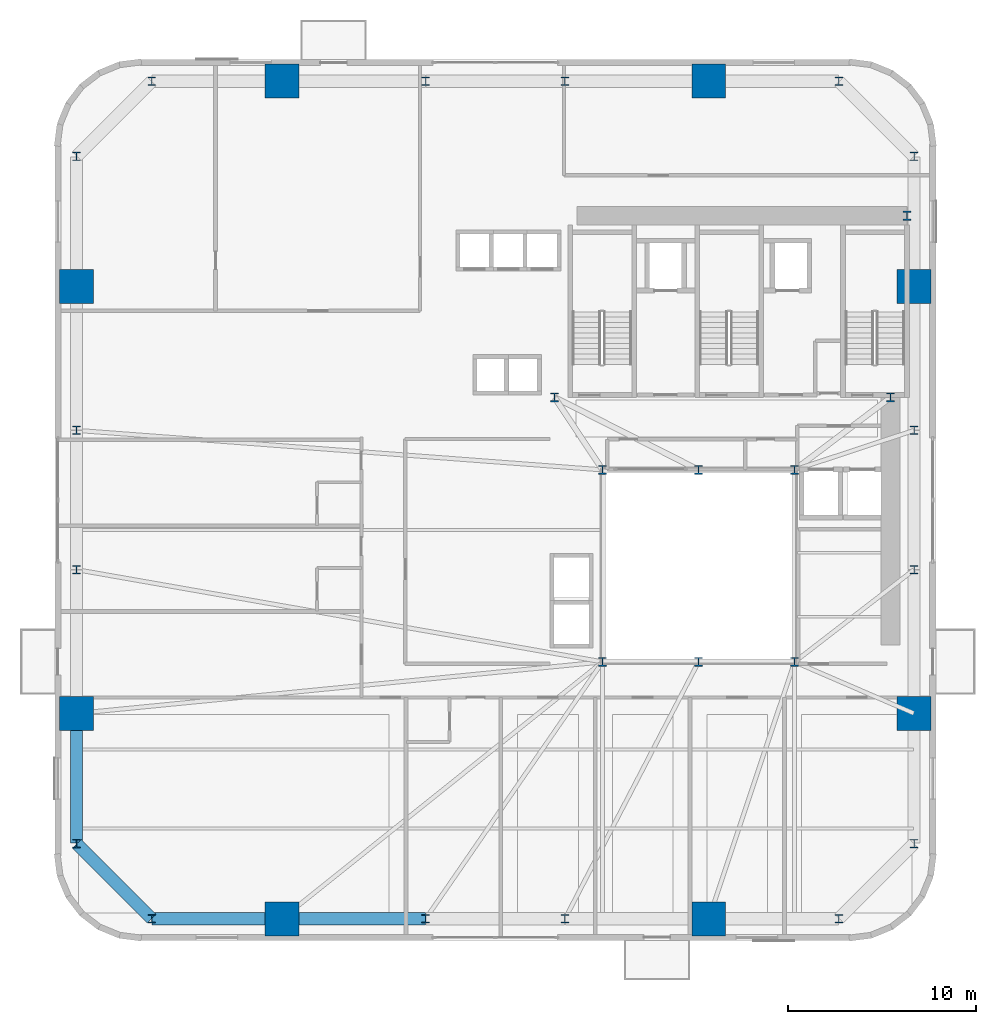
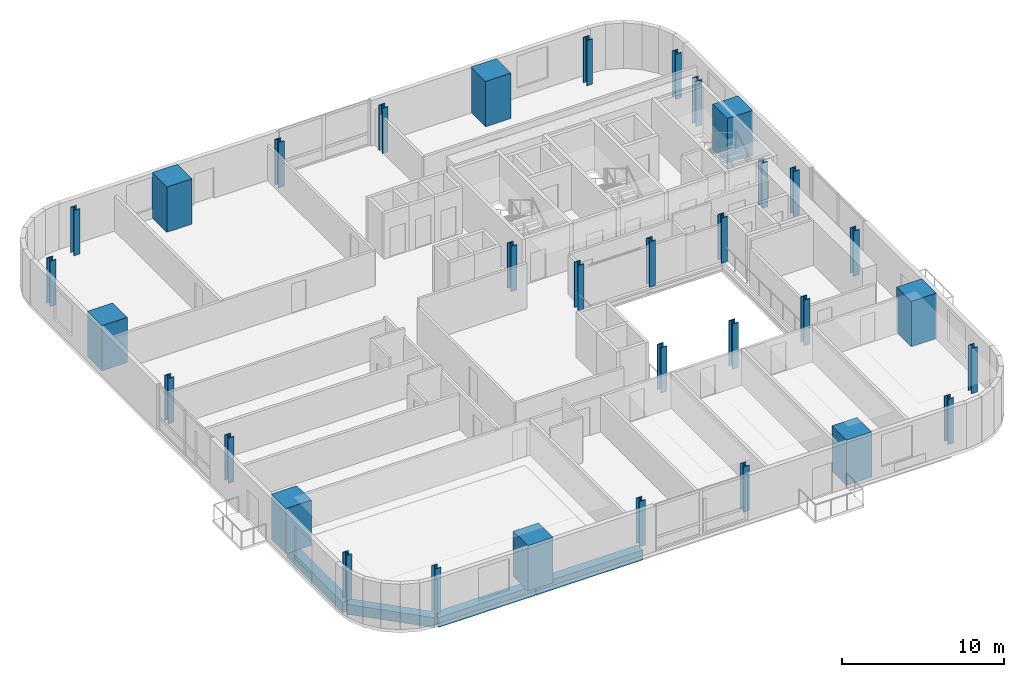
# One storey, part 1 of 13: 33 columns, 4 beams.
"""IFC4 building model written with IfcOpenShell, lengths in metres."""

from ifc_helpers import new_model, si_unit, direction, frame, origin, origin_2d, place, context, subcontext, project, spatial, rectangle, i_section, extrude, source, transform, mapped, material, material_profile, profile_set, type_object, element, save


model = new_model("IFC4")

# Units and contexts
model_context = context("Model", 3, precision=1e-05, world=origin(), true_north=direction((0.0, 1.0)))
body_context = subcontext(model_context, "Body", "Model", "MODEL_VIEW")
ifc_project = project(units=[si_unit("LENGTHUNIT", "METRE"), si_unit("AREAUNIT", "SQUARE_METRE"), si_unit("VOLUMEUNIT", "CUBIC_METRE"), si_unit("PLANEANGLEUNIT", "RADIAN"), si_unit("MASSUNIT", "GRAM", prefix="KILO")], contexts=[model_context])

# Site, building, storey
site_placement = place(None, origin())
site = spatial("IfcSite", under=ifc_project, at=site_placement, CompositionType="ELEMENT")
building_placement = place(site_placement, origin())
building = spatial("IfcBuilding", under=site, at=building_placement, Name="Vardaveli Station Tower", CompositionType="ELEMENT")
storey_placement = place(building_placement, frame((0.0, 0.0, 38.550048828125)))
storey = spatial("IfcBuildingStorey", under=building, at=storey_placement, Name="L09", CompositionType="ELEMENT", Elevation=38.550048828125)

# Columns
ifc_material_1 = material(Name="Structural steel S460M", Category="steel")
ifc_material_profile_1 = material_profile(ifc_material_1, i_section(OverallWidth=0.427978515625, OverallDepth=0.48095703125, WebThickness=0.03955078125, FlangeThickness=0.0634765625, FilletRadius=0.014892578125, at=origin_2d()), Name="HD 400x677")
ifc_profile_set_1 = profile_set([ifc_material_profile_1], Name="Structural steel S460M")
column_type_1 = type_object("IfcColumnType", Name="COL-HD677", PredefinedType="COLUMN", material=ifc_profile_set_1)
shared_shape_1 = source(origin(), body_context, "Body", "SweptSolid", [
    extrude(i_section(OverallWidth=0.427978515625, OverallDepth=0.48095703125, WebThickness=0.03955078125, FlangeThickness=0.0634765625, FilletRadius=0.014892578125, at=origin_2d()), origin(), (0.0, 0.0, 1.0), 3.409912109375),
])
for number, where, z_axis, x_axis, name in (
    (1, (31.199951171875, 16.60009765625, 0.0), (0.0, 0.0, 1.0), (1.0, 0.0, 0.0), "COL-L09-AC1"),
    (2, (36.300048828125, 16.60009765625, 0.0), (0.0, 0.0, 1.0), (1.0, 0.0, 0.0), "COL-L09-AC2"),
    (3, (41.39990234375, 16.60009765625, 0.0), (0.0, 0.0, 1.0), (1.0, 0.0, 0.0), "COL-L09-AC3"),
    (4, (41.39990234375, 26.800048828125, 0.0), (0.0, 0.0, 1.0), (1.0, 0.0, 0.0), "COL-L09-AC4"),
    (5, (36.300048828125, 26.800048828125, 0.0), (0.0, 0.0, 1.0), (1.0, 0.0, 0.0), "COL-L09-AC5"),
    (6, (31.199951171875, 26.800048828125, 0.0), (0.0, 0.0, 1.0), (1.0, 0.0, 0.0), "COL-L09-AC6"),
    (7, (28.64990234375, 30.64990234375, 0.0), (0.0, 0.0, 1.0), (1.0, 0.0, 0.0), "COL-L09-CC1"),
    (8, (46.5, 30.64990234375, 0.0), (0.0, 0.0, 1.0), (1.0, 0.0, 0.0), "COL-L09-CC2"),
    (9, (47.3701171875, 40.300048828125, 0.0), (0.0, 0.0, 1.0), (1.0, 0.0, 0.0), "COL-L09-CC3"),
):
    element("IfcColumn", number, at=place(storey_placement, frame(where, z_axis=z_axis, x_axis=x_axis)), inside=storey, type_object=column_type_1, Name=name, PredefinedType="COLUMN", context=body_context, shape_type="MappedRepresentation", body=[
        mapped(shared_shape_1, transform((0.0, 0.0, 0.0), scale=1.0)),
    ])
ifc_material_2 = material(Name="Concrete C70/85", Category="concrete")
ifc_material_profile_2 = material_profile(ifc_material_2, rectangle(XDim=1.800048828125, YDim=1.800048828125, at=origin_2d()), Name="MC 1800x1800")
ifc_profile_set_2 = profile_set([ifc_material_profile_2], Name="Concrete C70/85")
column_type_2 = type_object("IfcColumnType", Name="COL-MC-1800", PredefinedType="COLUMN", material=ifc_profile_set_2)
shared_shape_2 = source(origin(), body_context, "Body", "SweptSolid", [
    extrude(rectangle(XDim=1.800048828125, YDim=1.800048828125, at=origin_2d()), origin(), (0.0, 0.0, 1.0), 3.409912109375),
])
for number, where, z_axis, x_axis, name in (
    (10, (14.159912109375, 2.949951171875, 0.0), (0.0, 0.0, 1.0), (1.0, 0.0, 0.0), "COL-L09-MC1"),
    (11, (36.840087890625, 2.949951171875, 0.0), (0.0, 0.0, 1.0), (1.0, 0.0, 0.0), "COL-L09-MC2"),
    (12, (47.75, 13.860107421875, 0.0), (0.0, 0.0, 1.0), (1.0, 0.0, 0.0), "COL-L09-MC3"),
    (13, (47.75, 36.5400390625, 0.0), (0.0, 0.0, 1.0), (1.0, 0.0, 0.0), "COL-L09-MC4"),
    (14, (36.840087890625, 47.449951171875, 0.0), (0.0, 0.0, 1.0), (1.0, 0.0, 0.0), "COL-L09-MC5"),
    (15, (14.159912109375, 47.449951171875, 0.0), (0.0, 0.0, 1.0), (1.0, 0.0, 0.0), "COL-L09-MC6"),
    (16, (3.25, 36.5400390625, 0.0), (0.0, 0.0, 1.0), (1.0, 0.0, 0.0), "COL-L09-MC7"),
    (17, (3.25, 13.860107421875, 0.0), (0.0, 0.0, 1.0), (1.0, 0.0, 0.0), "COL-L09-MC8"),
):
    element("IfcColumn", number, at=place(storey_placement, frame(where, z_axis=z_axis, x_axis=x_axis)), inside=storey, type_object=column_type_2, Name=name, PredefinedType="COLUMN", context=body_context, shape_type="MappedRepresentation", body=[
        mapped(shared_shape_2, transform((0.0, 0.0, 0.0), scale=1.0)),
    ])
ifc_material_profile_3 = material_profile(ifc_material_1, i_section(OverallWidth=0.4189453125, OverallDepth=0.448974609375, WebThickness=0.030517578125, FlangeThickness=0.04833984375, FilletRadius=0.014892578125, at=origin_2d()), Name="HD 400x509")
ifc_profile_set_3 = profile_set([ifc_material_profile_3], Name="Structural steel S460M")
column_type_3 = type_object("IfcColumnType", Name="COL-HD509", PredefinedType="COLUMN", material=ifc_profile_set_3)
shared_shape_3 = source(origin(), body_context, "Body", "SweptSolid", [
    extrude(i_section(OverallWidth=0.4189453125, OverallDepth=0.448974609375, WebThickness=0.030517578125, FlangeThickness=0.04833984375, FilletRadius=0.014892578125, at=origin_2d()), origin(), (0.0, 0.0, 1.0), 3.409912109375),
])
for number, where, z_axis, x_axis, name in (
    (18, (7.25, 2.949951171875, 0.0), (0.0, 0.0, 1.0), (1.0, 0.0, 0.0), "COL-L09-PC01"),
    (19, (21.800048828125, 2.949951171875, 0.0), (0.0, 0.0, 1.0), (1.0, 0.0, 0.0), "COL-L09-PC02"),
    (20, (29.199951171875, 2.949951171875, 0.0), (0.0, 0.0, 1.0), (1.0, 0.0, 0.0), "COL-L09-PC03"),
    (21, (43.75, 2.949951171875, 0.0), (0.0, 0.0, 1.0), (1.0, 0.0, 0.0), "COL-L09-PC04"),
    (22, (47.75, 6.949951171875, 0.0), (0.0, 0.0, 1.0), (1.0, 0.0, 0.0), "COL-L09-PC05"),
    (23, (47.75, 21.5, 0.0), (0.0, 0.0, 1.0), (1.0, 0.0, 0.0), "COL-L09-PC06"),
    (24, (47.75, 28.89990234375, 0.0), (0.0, 0.0, 1.0), (1.0, 0.0, 0.0), "COL-L09-PC07"),
    (25, (47.75, 43.449951171875, 0.0), (0.0, 0.0, 1.0), (1.0, 0.0, 0.0), "COL-L09-PC08"),
    (26, (43.75, 47.449951171875, 0.0), (0.0, 0.0, 1.0), (1.0, 0.0, 0.0), "COL-L09-PC09"),
    (27, (29.199951171875, 47.449951171875, 0.0), (0.0, 0.0, 1.0), (1.0, 0.0, 0.0), "COL-L09-PC10"),
    (28, (21.800048828125, 47.449951171875, 0.0), (0.0, 0.0, 1.0), (1.0, 0.0, 0.0), "COL-L09-PC11"),
    (29, (7.25, 47.449951171875, 0.0), (0.0, 0.0, 1.0), (1.0, 0.0, 0.0), "COL-L09-PC12"),
    (30, (3.25, 43.449951171875, 0.0), (0.0, 0.0, 1.0), (1.0, 0.0, 0.0), "COL-L09-PC13"),
    (31, (3.25, 28.89990234375, 0.0), (0.0, 0.0, 1.0), (1.0, 0.0, 0.0), "COL-L09-PC14"),
    (32, (3.25, 21.5, 0.0), (0.0, 0.0, 1.0), (1.0, 0.0, 0.0), "COL-L09-PC15"),
    (33, (3.25, 6.949951171875, 0.0), (0.0, 0.0, 1.0), (1.0, 0.0, 0.0), "COL-L09-PC16"),
):
    element("IfcColumn", number, at=place(storey_placement, frame(where, z_axis=z_axis, x_axis=x_axis)), inside=storey, type_object=column_type_3, Name=name, PredefinedType="COLUMN", context=body_context, shape_type="MappedRepresentation", body=[
        mapped(shared_shape_3, transform((0.0, 0.0, 0.0), scale=1.0)),
    ])

# Beams
ifc_material_3 = material(Name="Precast concrete C45/55", Category="concrete")
ifc_material_profile_4 = material_profile(ifc_material_3, rectangle(XDim=0.64990234375, YDim=0.75, at=origin_2d()), Name="LPB 650x750")
ifc_profile_set_4 = profile_set([ifc_material_profile_4], Name="Precast concrete C45/55")
beam_type = type_object("IfcBeamType", Name="BM-LPB-750", PredefinedType="BEAM", material=ifc_profile_set_4)
shared_shape_4 = source(origin(), body_context, "Body", "SweptSolid", [
    extrude(rectangle(XDim=0.64990234375, YDim=0.75, at=origin_2d()), origin(), (0.0, 0.0, 1.0), 7.60009765625),
])
beam_1_placement = place(storey_placement, frame((14.179931640625, 2.949951171875, -0.614990234375), z_axis=(1.0, 0.0, 0.0), x_axis=(0.0, 1.0, 0.0)))
element("IfcBeam", 34, at=beam_1_placement, inside=storey, type_object=beam_type, Name="RBM-L09-01", PredefinedType="BEAM", context=body_context, shape_type="MappedRepresentation", body=[
    mapped(shared_shape_4, transform((0.0, 0.0, 0.0), scale=1.0)),
])
shared_shape_5 = source(origin(), body_context, "Body", "SweptSolid", [
    extrude(rectangle(XDim=0.64990234375, YDim=0.75, at=origin_2d()), origin(), (0.0, 0.0, 1.0), 6.869873046875),
])
beam_2_placement = place(storey_placement, frame((7.27001953125, 2.949951171875, -0.614990234375), z_axis=(1.0, 0.0, 0.0), x_axis=(0.0, 1.0, 0.0)))
element("IfcBeam", 35, at=beam_2_placement, inside=storey, type_object=beam_type, Name="RBM-L09-24", PredefinedType="BEAM", context=body_context, shape_type="MappedRepresentation", body=[
    mapped(shared_shape_5, transform((0.0, 0.0, 0.0), scale=1.0)),
])
shared_shape_6 = source(origin(), body_context, "Body", "SweptSolid", [
    extrude(rectangle(XDim=0.64990234375, YDim=0.75, at=origin_2d()), origin(), (0.0, 0.0, 1.0), 5.61669921875),
])
beam_3_placement = place(storey_placement, frame((3.26416015625, 6.935791015625, -0.614990234375), z_axis=(0.707106781187, -0.707106781187, 0.0), x_axis=(0.707106781187, 0.707106781187, 0.0)))
element("IfcBeam", 36, at=beam_3_placement, inside=storey, type_object=beam_type, Name="RBM-L09-23", PredefinedType="BEAM", context=body_context, shape_type="MappedRepresentation", body=[
    mapped(shared_shape_6, transform((0.0, 0.0, 0.0), scale=1.0)),
])
shared_shape_7 = source(origin(), body_context, "Body", "SweptSolid", [
    extrude(rectangle(XDim=0.64990234375, YDim=0.75, at=origin_2d()), origin(), (0.0, 0.0, 1.0), 6.8701171875),
])
beam_4_placement = place(storey_placement, frame((3.25, 13.840087890625, -0.614990234375), z_axis=(0.0, -1.0, 0.0), x_axis=(1.0, 0.0, 0.0)))
element("IfcBeam", 37, at=beam_4_placement, inside=storey, type_object=beam_type, Name="RBM-L09-22", PredefinedType="BEAM", context=body_context, shape_type="MappedRepresentation", body=[
    mapped(shared_shape_7, transform((0.0, 0.0, 0.0), scale=1.0)),
])

save(model, "model.ifc")
